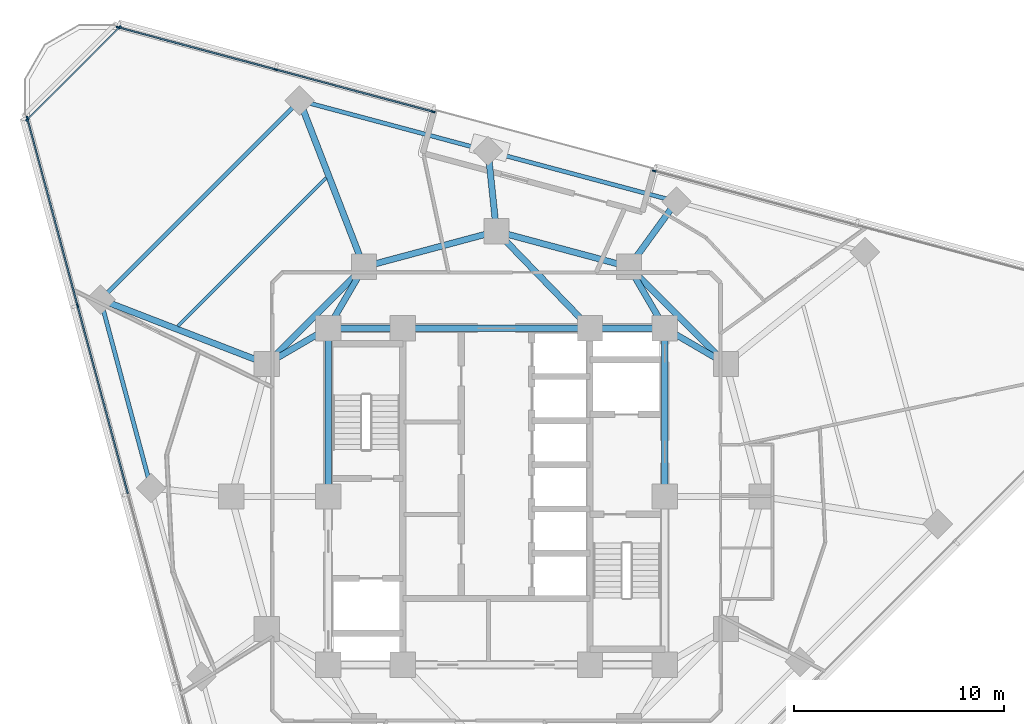
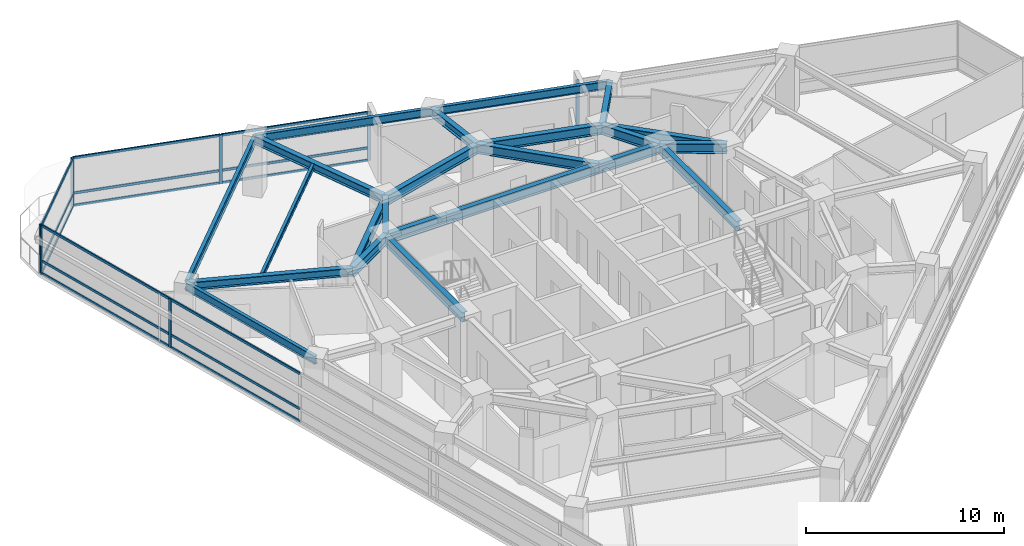
# One storey, part 4 of 14: 23 beams, 23 members, 4 elements without a shape of their own.
"""IFC4 building model written with IfcOpenShell, lengths in metres."""

from ifc_helpers import new_model, si_unit, direction, frame, origin, origin_2d, place, context, subcontext, project, spatial, rectangle, i_section, extrude, material, layer, layer_set, material_profile, profile_set, type_object, element, aggregate, save


model = new_model("IFC4")

# Units and contexts
model_context = context("Model", 3, precision=1e-05, world=origin(), true_north=direction((0.0, 1.0)))
body_context = subcontext(model_context, "Body", "Model", "MODEL_VIEW")
ifc_project = project(units=[si_unit("LENGTHUNIT", "METRE"), si_unit("AREAUNIT", "SQUARE_METRE"), si_unit("VOLUMEUNIT", "CUBIC_METRE"), si_unit("PLANEANGLEUNIT", "RADIAN"), si_unit("MASSUNIT", "GRAM", prefix="KILO")], contexts=[model_context])

# Site, building, storey
site_placement = place(None, origin())
site = spatial("IfcSite", under=ifc_project, at=site_placement, CompositionType="ELEMENT")
building_placement = place(site_placement, origin())
building = spatial("IfcBuilding", under=site, at=building_placement, Name="Terralouvre Media Tower", CompositionType="ELEMENT")
storey_placement = place(building_placement, frame((0.0, 0.0, 191.60009765625)))
storey = spatial("IfcBuildingStorey", under=building, at=storey_placement, Name="L49", CompositionType="ELEMENT", Elevation=191.60009765625)

# Beam
ifc_material_1 = material(Name="Structural steel S355J2", Category="steel")
ifc_material_profile_1 = material_profile(ifc_material_1, i_section(OverallWidth=0.159912109375, OverallDepth=0.330078125, WebThickness=0.007568359375, FlangeThickness=0.011474609375, at=origin_2d()), Name="IPE 330")
ifc_profile_set_1 = profile_set([ifc_material_profile_1], Name="Structural steel S355J2")
beam_type_1 = type_object("IfcBeamType", Name="Composite Floor Joist J-IPE330 (IPE 330)", PredefinedType="JOIST", material=ifc_profile_set_1)
beam_1_placement = place(storey_placement, frame((-8.095947265625, 15.14453125, 3.3349609375), z_axis=(-0.707106781187, -0.707106781187, 0.0), x_axis=(0.707106781187, -0.707106781187, 0.0)))
element("IfcBeam", 1, at=beam_1_placement, inside=storey, type_object=beam_type_1, Name="L49 Framing Beam JT-L49-05", PredefinedType="JOIST", context=body_context, shape_type="SweptSolid", body=[
    extrude(i_section(OverallWidth=0.159912109375, OverallDepth=0.330078125, WebThickness=0.007568359375, FlangeThickness=0.011474609375, at=origin_2d()), origin(), (0.0, 0.0, 1.0), 9.96826171875),
])

# Curtain wall, members
ifc_material_2 = material(Name="Low-iron laminated double glazing with solar-control coating", Category="glass")
ifc_layer_1 = layer(ifc_material_2, 0.1650390625, Name="Production Studio Tower Curtain Wall CW-03")
ifc_layer_set_1 = layer_set([ifc_layer_1], Name="Low-iron laminated double glazing with solar-control coating")
curtain_wall_type_1 = type_object("IfcCurtainWallType", Name="Production Studio Tower Curtain Wall CW-03", PredefinedType="NOTDEFINED", material=ifc_layer_set_1)
curtain_wall_1_placement = place(storey_placement, origin())
curtain_wall_1 = element("IfcCurtainWall", 2, at=curtain_wall_1_placement, inside=storey, type_object=curtain_wall_type_1, Name="L49 Right Flank Curtain Wall F1", PredefinedType="NOTDEFINED")
ifc_material_3 = material(Name="Anodised extruded aluminium 6063-T6", Category="aluminium")
ifc_material_profile_2 = material_profile(ifc_material_3, rectangle(XDim=0.074951171875, YDim=0.14990234375, at=origin_2d()), Name="ALU 75x150")
ifc_profile_set_2 = profile_set([ifc_material_profile_2], Name="Anodised extruded aluminium 6063-T6")
member_type_1 = type_object("IfcMemberType", Name="Curtain-Wall Horizontal Transom TR-150", PredefinedType="USERDEFINED", material=ifc_profile_set_2)
member_1_placement = place(storey_placement, frame((-3.0439453125, 18.294189453125, 0.037353515625), z_axis=(-0.965925482213, 0.258820329209, 0.0), x_axis=(-0.258820329209, -0.965925482213, 0.0)))
member_1 = element("IfcMember", 3, at=member_1_placement, type_object=member_type_1, Name="CW-03 transom 1.1", ObjectType="TRANSOM", PredefinedType="USERDEFINED", context=body_context, shape_type="SweptSolid", body=[
    extrude(rectangle(XDim=0.074951171875, YDim=0.14990234375, at=origin_2d()), origin(), (0.0, 0.0, 1.0), 7.677490234375),
])
member_2_placement = place(storey_placement, frame((-3.0439453125, 18.294189453125, 0.7998046875), z_axis=(-0.965925482213, 0.258820329209, 0.0), x_axis=(-0.258820329209, -0.965925482213, 0.0)))
member_2 = element("IfcMember", 4, at=member_2_placement, type_object=member_type_1, Name="CW-03 transom 1.2", ObjectType="TRANSOM", PredefinedType="USERDEFINED", context=body_context, shape_type="SweptSolid", body=[
    extrude(rectangle(XDim=0.074951171875, YDim=0.14990234375, at=origin_2d()), origin(), (0.0, 0.0, 1.0), 7.677490234375),
])
member_3_placement = place(storey_placement, frame((-3.0439453125, 18.294189453125, 2.96240234375), z_axis=(-0.965925482213, 0.258820329209, 0.0), x_axis=(-0.258820329209, -0.965925482213, 0.0)))
member_3 = element("IfcMember", 5, at=member_3_placement, type_object=member_type_1, Name="CW-03 transom 1.3", ObjectType="TRANSOM", PredefinedType="USERDEFINED", context=body_context, shape_type="SweptSolid", body=[
    extrude(rectangle(XDim=0.074951171875, YDim=0.14990234375, at=origin_2d()), origin(), (0.0, 0.0, 1.0), 7.677490234375),
])
member_4_placement = place(storey_placement, frame((-10.5322265625, 20.300537109375, 0.037353515625), z_axis=(-0.965925482213, 0.258820329209, 0.0), x_axis=(-0.258820329209, -0.965925482213, 0.0)))
member_4 = element("IfcMember", 6, at=member_4_placement, type_object=member_type_1, Name="CW-03 transom 2.1", ObjectType="TRANSOM", PredefinedType="USERDEFINED", context=body_context, shape_type="SweptSolid", body=[
    extrude(rectangle(XDim=0.074951171875, YDim=0.14990234375, at=origin_2d()), origin(), (0.0, 0.0, 1.0), 7.677490234375),
])
member_5_placement = place(storey_placement, frame((-10.5322265625, 20.300537109375, 0.7998046875), z_axis=(-0.965925482213, 0.258820329209, 0.0), x_axis=(-0.258820329209, -0.965925482213, 0.0)))
member_5 = element("IfcMember", 7, at=member_5_placement, type_object=member_type_1, Name="CW-03 transom 2.2", ObjectType="TRANSOM", PredefinedType="USERDEFINED", context=body_context, shape_type="SweptSolid", body=[
    extrude(rectangle(XDim=0.074951171875, YDim=0.14990234375, at=origin_2d()), origin(), (0.0, 0.0, 1.0), 7.677490234375),
])
member_6_placement = place(storey_placement, frame((-10.5322265625, 20.300537109375, 2.96240234375), z_axis=(-0.965925482213, 0.258820329209, 0.0), x_axis=(-0.258820329209, -0.965925482213, 0.0)))
member_6 = element("IfcMember", 8, at=member_6_placement, type_object=member_type_1, Name="CW-03 transom 2.3", ObjectType="TRANSOM", PredefinedType="USERDEFINED", context=body_context, shape_type="SweptSolid", body=[
    extrude(rectangle(XDim=0.074951171875, YDim=0.14990234375, at=origin_2d()), origin(), (0.0, 0.0, 1.0), 7.677490234375),
])

curtain_wall_2_placement = place(storey_placement, origin())
curtain_wall_2 = element("IfcCurtainWall", 9, at=curtain_wall_2_placement, inside=storey, type_object=curtain_wall_type_1, Name="L49 Facade Curtain Wall F2", PredefinedType="NOTDEFINED")
member_7_placement = place(storey_placement, frame((-22.28759765625, 17.947998046875, 0.037353515625), z_axis=(0.25881380313, -0.965927230856, 0.0), x_axis=(0.965927230856, 0.25881380313, 0.0)))
member_7 = element("IfcMember", 10, at=member_7_placement, type_object=member_type_1, Name="CW-03 transom 1.1", ObjectType="TRANSOM", PredefinedType="USERDEFINED", context=body_context, shape_type="SweptSolid", body=[
    extrude(rectangle(XDim=0.074951171875, YDim=0.14990234375, at=origin_2d()), origin(), (0.0, 0.0, 1.0), 9.159423828125),
])
member_8_placement = place(storey_placement, frame((-22.28759765625, 17.947998046875, 0.7998046875), z_axis=(0.25881380313, -0.965927230856, 0.0), x_axis=(0.965927230856, 0.25881380313, 0.0)))
member_8 = element("IfcMember", 11, at=member_8_placement, type_object=member_type_1, Name="CW-03 transom 1.2", ObjectType="TRANSOM", PredefinedType="USERDEFINED", context=body_context, shape_type="SweptSolid", body=[
    extrude(rectangle(XDim=0.074951171875, YDim=0.14990234375, at=origin_2d()), origin(), (0.0, 0.0, 1.0), 9.159423828125),
])
member_9_placement = place(storey_placement, frame((-22.28759765625, 17.947998046875, 2.96240234375), z_axis=(0.25881380313, -0.965927230856, 0.0), x_axis=(0.965927230856, 0.25881380313, 0.0)))
member_9 = element("IfcMember", 12, at=member_9_placement, type_object=member_type_1, Name="CW-03 transom 1.3", ObjectType="TRANSOM", PredefinedType="USERDEFINED", context=body_context, shape_type="SweptSolid", body=[
    extrude(rectangle(XDim=0.074951171875, YDim=0.14990234375, at=origin_2d()), origin(), (0.0, 0.0, 1.0), 9.159423828125),
])
member_10_placement = place(storey_placement, frame((-19.897705078125, 9.0283203125, 0.037353515625), z_axis=(0.25881569625, -0.965926723605, 0.0), x_axis=(0.965926723605, 0.25881569625, 0.0)))
member_10 = element("IfcMember", 13, at=member_10_placement, type_object=member_type_1, Name="CW-03 transom 2.1", ObjectType="TRANSOM", PredefinedType="USERDEFINED", context=body_context, shape_type="SweptSolid", body=[
    extrude(rectangle(XDim=0.074951171875, YDim=0.14990234375, at=origin_2d()), origin(), (0.0, 0.0, 1.0), 9.197265625),
])
member_11_placement = place(storey_placement, frame((-19.897705078125, 9.0283203125, 0.7998046875), z_axis=(0.25881569625, -0.965926723605, 0.0), x_axis=(0.965926723605, 0.25881569625, 0.0)))
member_11 = element("IfcMember", 14, at=member_11_placement, type_object=member_type_1, Name="CW-03 transom 2.2", ObjectType="TRANSOM", PredefinedType="USERDEFINED", context=body_context, shape_type="SweptSolid", body=[
    extrude(rectangle(XDim=0.074951171875, YDim=0.14990234375, at=origin_2d()), origin(), (0.0, 0.0, 1.0), 9.197265625),
])
member_12_placement = place(storey_placement, frame((-19.897705078125, 9.0283203125, 2.96240234375), z_axis=(0.25881569625, -0.965926723605, 0.0), x_axis=(0.965926723605, 0.25881569625, 0.0)))
member_12 = element("IfcMember", 15, at=member_12_placement, type_object=member_type_1, Name="CW-03 transom 2.3", ObjectType="TRANSOM", PredefinedType="USERDEFINED", context=body_context, shape_type="SweptSolid", body=[
    extrude(rectangle(XDim=0.074951171875, YDim=0.14990234375, at=origin_2d()), origin(), (0.0, 0.0, 1.0), 9.197265625),
])

ifc_material_4 = material(Name="Low-iron laminated double glazing with solar-control coating", Category="glass")
ifc_layer_2 = layer(ifc_material_4, 0.1650390625, Name="Rounded Wind-Corner Curved Glazing CW-04")
ifc_layer_set_2 = layer_set([ifc_layer_2], Name="Low-iron laminated double glazing with solar-control coating")
curtain_wall_type_2 = type_object("IfcCurtainWallType", Name="Rounded Wind-Corner Curved Glazing CW-04", PredefinedType="NOTDEFINED", material=ifc_layer_set_2)
curtain_wall_3_placement = place(storey_placement, origin())
curtain_wall_3 = element("IfcCurtainWall", 16, at=curtain_wall_3_placement, inside=storey, type_object=curtain_wall_type_2, Name="L49 Rounded Wind-Corner Curtain Wall C2", PredefinedType="NOTDEFINED")
member_13_placement = place(storey_placement, frame((-17.943603515625, 22.27099609375, 0.037353515625), z_axis=(-0.707106781187, -0.707106781187, 0.0), x_axis=(0.707106781187, -0.707106781187, 0.0)))
member_13 = element("IfcMember", 17, at=member_13_placement, type_object=member_type_1, Name="CW-04 transom 1.1", ObjectType="TRANSOM", PredefinedType="USERDEFINED", context=body_context, shape_type="SweptSolid", body=[
    extrude(rectangle(XDim=0.074951171875, YDim=0.14990234375, at=origin_2d()), origin(), (0.0, 0.0, 1.0), 6.119873046875),
])
member_14_placement = place(storey_placement, frame((-17.943603515625, 22.27099609375, 0.7998046875), z_axis=(-0.707106781187, -0.707106781187, 0.0), x_axis=(0.707106781187, -0.707106781187, 0.0)))
member_14 = element("IfcMember", 18, at=member_14_placement, type_object=member_type_1, Name="CW-04 transom 1.2", ObjectType="TRANSOM", PredefinedType="USERDEFINED", context=body_context, shape_type="SweptSolid", body=[
    extrude(rectangle(XDim=0.074951171875, YDim=0.14990234375, at=origin_2d()), origin(), (0.0, 0.0, 1.0), 6.119873046875),
])
member_15_placement = place(storey_placement, frame((-17.943603515625, 22.27099609375, 2.96240234375), z_axis=(-0.707106781187, -0.707106781187, 0.0), x_axis=(0.707106781187, -0.707106781187, 0.0)))
member_15 = element("IfcMember", 19, at=member_15_placement, type_object=member_type_1, Name="CW-04 transom 1.3", ObjectType="TRANSOM", PredefinedType="USERDEFINED", context=body_context, shape_type="SweptSolid", body=[
    extrude(rectangle(XDim=0.074951171875, YDim=0.14990234375, at=origin_2d()), origin(), (0.0, 0.0, 1.0), 6.119873046875),
])

# Curtain wall, member
curtain_wall_4_placement = place(storey_placement, origin())
curtain_wall_4 = element("IfcCurtainWall", 20, at=curtain_wall_4_placement, inside=storey, type_object=curtain_wall_type_1, Name="L49 Left Flank Curtain Wall F1", PredefinedType="NOTDEFINED")
ifc_material_5 = material(Name="Anodised extruded aluminium 6063-T6", Category="aluminium")
ifc_material_profile_3 = material_profile(ifc_material_5, rectangle(XDim=0.074951171875, YDim=0.179931640625, at=origin_2d()), Name="ALU 75x180")
ifc_profile_set_3 = profile_set([ifc_material_profile_3], Name="Anodised extruded aluminium 6063-T6")
member_type_2 = type_object("IfcMemberType", Name="Curtain-Wall Vertical Mullion ML-180", PredefinedType="MULLION", material=ifc_profile_set_3)
member_16_placement = place(storey_placement, frame((7.496826171875, 15.4697265625, 0.0), z_axis=(0.0, 0.0, 1.0), x_axis=(-0.258818809065, -0.965925889535, 0.0)))
member_16 = element("IfcMember", 21, at=member_16_placement, type_object=member_type_2, Name="CW-03 mullion 3", PredefinedType="MULLION", context=body_context, shape_type="SweptSolid", body=[
    extrude(rectangle(XDim=0.074951171875, YDim=0.179931640625, at=origin_2d()), origin(), (0.0, 0.0, 1.0), 3.0),
])
aggregate(curtain_wall_4, [member_16])

# Member
member_17_placement = place(storey_placement, frame((-3.007568359375, 18.284423828125, 0.0), z_axis=(0.0, 0.0, 1.0), x_axis=(-0.258819072009, -0.96592581908, 0.0)))
member_17 = element("IfcMember", 22, at=member_17_placement, type_object=member_type_2, Name="CW-03 mullion 1", PredefinedType="MULLION", context=body_context, shape_type="SweptSolid", body=[
    extrude(rectangle(XDim=0.074951171875, YDim=0.179931640625, at=origin_2d()), origin(), (0.0, 0.0, 1.0), 3.0),
])

member_18_placement = place(storey_placement, frame((-10.495849609375, 20.291015625, 0.0), z_axis=(0.0, 0.0, 1.0), x_axis=(-0.258819072009, -0.96592581908, 0.0)))
member_18 = element("IfcMember", 23, at=member_18_placement, type_object=member_type_2, Name="CW-03 mullion 2", PredefinedType="MULLION", context=body_context, shape_type="SweptSolid", body=[
    extrude(rectangle(XDim=0.074951171875, YDim=0.179931640625, at=origin_2d()), origin(), (0.0, 0.0, 1.0), 3.0),
])

member_19_placement = place(storey_placement, frame((-17.984375, 22.29736328125, 0.0), z_axis=(0.0, 0.0, 1.0), x_axis=(-0.258819072009, -0.96592581908, 0.0)))
member_19 = element("IfcMember", 24, at=member_19_placement, type_object=member_type_2, Name="CW-03 mullion 3", PredefinedType="MULLION", context=body_context, shape_type="SweptSolid", body=[
    extrude(rectangle(XDim=0.074951171875, YDim=0.179931640625, at=origin_2d()), origin(), (0.0, 0.0, 1.0), 3.0),
])

aggregate(curtain_wall_1, [member_17, member_18, member_19, member_1, member_2, member_3, member_4, member_5, member_6])

member_20_placement = place(storey_placement, frame((-22.29736328125, 17.984375, 0.0), z_axis=(0.0, 0.0, 1.0), x_axis=(0.96592582942, 0.25881903342, 0.0)))
member_20 = element("IfcMember", 25, at=member_20_placement, type_object=member_type_2, Name="CW-03 mullion 1", PredefinedType="MULLION", context=body_context, shape_type="SweptSolid", body=[
    extrude(rectangle(XDim=0.074951171875, YDim=0.179931640625, at=origin_2d()), origin(), (0.0, 0.0, 1.0), 3.0),
])

member_21_placement = place(storey_placement, frame((-19.907470703125, 9.064453125, 0.0), z_axis=(0.0, 0.0, 1.0), x_axis=(0.96592582942, 0.25881903342, 0.0)))
member_21 = element("IfcMember", 26, at=member_21_placement, type_object=member_type_2, Name="CW-03 mullion 2", PredefinedType="MULLION", context=body_context, shape_type="SweptSolid", body=[
    extrude(rectangle(XDim=0.074951171875, YDim=0.179931640625, at=origin_2d()), origin(), (0.0, 0.0, 1.0), 3.0),
])

aggregate(curtain_wall_2, [member_20, member_21, member_7, member_8, member_9, member_10, member_11, member_12])

member_22_placement = place(storey_placement, frame((-17.9169921875, 22.297607421875, 0.0), z_axis=(0.0, 0.0, 1.0), x_axis=(0.707106781187, -0.707106781187, 0.0)))
member_22 = element("IfcMember", 27, at=member_22_placement, type_object=member_type_2, Name="CW-04 mullion 1", PredefinedType="MULLION", context=body_context, shape_type="SweptSolid", body=[
    extrude(rectangle(XDim=0.074951171875, YDim=0.179931640625, at=origin_2d()), origin(), (0.0, 0.0, 1.0), 3.0),
])

member_23_placement = place(storey_placement, frame((-22.297607421875, 17.9169921875, 0.0), z_axis=(0.0, 0.0, 1.0), x_axis=(0.707106781187, -0.707106781187, 0.0)))
member_23 = element("IfcMember", 28, at=member_23_placement, type_object=member_type_2, Name="CW-04 mullion 2", PredefinedType="MULLION", context=body_context, shape_type="SweptSolid", body=[
    extrude(rectangle(XDim=0.074951171875, YDim=0.179931640625, at=origin_2d()), origin(), (0.0, 0.0, 1.0), 3.0),
])

aggregate(curtain_wall_3, [member_22, member_23, member_13, member_14, member_15])

# Beams
ifc_material_6 = material(Name="Structural steel S355J2", Category="steel")
ifc_material_profile_4 = material_profile(ifc_material_6, i_section(OverallWidth=0.199951171875, OverallDepth=0.5, WebThickness=0.01025390625, FlangeThickness=0.01611328125, at=origin_2d()), Name="IPE 500")
ifc_profile_set_4 = profile_set([ifc_material_profile_4], Name="Structural steel S355J2")
beam_type_2 = type_object("IfcBeamType", Name="Perimeter Spandrel Beam SPB-500 (IPE 500)", PredefinedType="SPANDREL", material=ifc_profile_set_4)
for number, where, z_axis, x_axis, name in (
    (29, (8.55517578125, 14.016357421875, 3.25), (-0.965928776458, 0.258808034669, 0.0), (-0.258808034669, -0.965928776458, 0.0), "L49 Framing Beam BM-L49-PR08"),
    (30, (-0.40087890625, 16.416015625, 3.25), (-0.965922193685, 0.258832601786, 0.0), (-0.258832601786, -0.965922193685, 0.0), "L49 Framing Beam BM-L49-PR09"),
):
    element("IfcBeam", number, at=place(storey_placement, frame(where, z_axis=z_axis, x_axis=x_axis)), inside=storey, type_object=beam_type_2, Name=name, PredefinedType="SPANDREL", context=body_context, shape_type="SweptSolid", body=[
        extrude(i_section(OverallWidth=0.199951171875, OverallDepth=0.5, WebThickness=0.01025390625, FlangeThickness=0.01611328125, at=origin_2d()), origin(), (0.0, 0.0, 1.0), 9.27197265625),
    ])
beam_2_placement = place(storey_placement, frame((-9.35693359375, 18.81591796875, 3.25), z_axis=(-0.707106781187, -0.707106781187, 0.0), x_axis=(0.707106781187, -0.707106781187, 0.0)))
element("IfcBeam", 31, at=beam_2_placement, inside=storey, type_object=beam_type_2, Name="L49 Framing Beam BM-L49-PR10", PredefinedType="SPANDREL", context=body_context, shape_type="SweptSolid", body=[
    extrude(i_section(OverallWidth=0.199951171875, OverallDepth=0.5, WebThickness=0.01025390625, FlangeThickness=0.01611328125, at=origin_2d()), origin(), (0.0, 0.0, 1.0), 13.376953125),
])
beam_3_placement = place(storey_placement, frame((-18.81591796875, 9.35693359375, 3.25), z_axis=(0.258832601786, -0.965922193685, 0.0), x_axis=(0.965922193685, 0.258832601786, 0.0)))
element("IfcBeam", 32, at=beam_3_placement, inside=storey, type_object=beam_type_2, Name="L49 Framing Beam BM-L49-PR11", PredefinedType="SPANDREL", context=body_context, shape_type="SweptSolid", body=[
    extrude(i_section(OverallWidth=0.199951171875, OverallDepth=0.5, WebThickness=0.01025390625, FlangeThickness=0.01611328125, at=origin_2d()), origin(), (0.0, 0.0, 1.0), 9.27197265625),
])
ifc_material_7 = material(Name="Structural steel S355J2", Category="steel")
ifc_material_profile_5 = material_profile(ifc_material_7, i_section(OverallWidth=0.300048828125, OverallDepth=0.5, WebThickness=0.014404296875, FlangeThickness=0.028076171875, at=origin_2d()), Name="HEB 500")
ifc_profile_set_5 = profile_set([ifc_material_profile_5], Name="Structural steel S355J2")
beam_type_3 = type_object("IfcBeamType", Name="Primary Floor Girder B-HEB500 (HEB 500)", PredefinedType="BEAM", material=ifc_profile_set_5)
beam_4_placement = place(storey_placement, frame((6.300048828125, 10.911865234375, 3.25), z_axis=(0.587713839807, 0.809068873767, 0.0), x_axis=(-0.809068873767, 0.587713839807, 0.0)))
element("IfcBeam", 33, at=beam_4_placement, inside=storey, type_object=beam_type_3, Name="L49 Framing Beam BM-L49-RD08", PredefinedType="BEAM", context=body_context, shape_type="SweptSolid", body=[
    extrude(i_section(OverallWidth=0.300048828125, OverallDepth=0.5, WebThickness=0.014404296875, FlangeThickness=0.028076171875, at=origin_2d()), origin(), (0.0, 0.0, 1.0), 3.837158203125),
])
beam_5_placement = place(storey_placement, frame((0.0, 12.60009765625, 3.25), z_axis=(-0.104479425033, 0.994527048272, 0.0), x_axis=(-0.994527048272, -0.104479425033, 0.0)))
element("IfcBeam", 34, at=beam_5_placement, inside=storey, type_object=beam_type_3, Name="L49 Framing Beam BM-L49-RD09", PredefinedType="BEAM", context=body_context, shape_type="SweptSolid", body=[
    extrude(i_section(OverallWidth=0.300048828125, OverallDepth=0.5, WebThickness=0.014404296875, FlangeThickness=0.028076171875, at=origin_2d()), origin(), (0.0, 0.0, 1.0), 3.8369140625),
])
for number, where, z_axis, x_axis, name in (
    (35, (-6.300048828125, 10.911865234375, 3.25), (-0.360712022835, 0.932677241377, 0.0), (-0.932677241377, -0.360712022835, 0.0), "L49 Framing Beam BM-L49-RD10"),
    (36, (-10.911865234375, 6.300048828125, 3.25), (-0.932677241377, 0.360712022835, 0.0), (-0.360712022835, -0.932677241377, 0.0), "L49 Framing Beam BM-L49-RD11"),
):
    element("IfcBeam", number, at=place(storey_placement, frame(where, z_axis=z_axis, x_axis=x_axis)), inside=storey, type_object=beam_type_3, Name=name, PredefinedType="BEAM", context=body_context, shape_type="SweptSolid", body=[
        extrude(i_section(OverallWidth=0.300048828125, OverallDepth=0.5, WebThickness=0.014404296875, FlangeThickness=0.028076171875, at=origin_2d()), origin(), (0.0, 0.0, 1.0), 8.474609375),
    ])
ifc_material_8 = material(Name="Structural steel S460M", Category="steel")
ifc_material_profile_6 = material_profile(ifc_material_8, i_section(OverallWidth=0.300048828125, OverallDepth=0.60009765625, WebThickness=0.015380859375, FlangeThickness=0.030029296875, at=origin_2d()), Name="HEB 600")
ifc_profile_set_6 = profile_set([ifc_material_profile_6], Name="Structural steel S460M")
beam_type_4 = type_object("IfcBeamType", Name="Primary Floor Girder B-HEB600 (HEB 600)", PredefinedType="BEAM", material=ifc_profile_set_6)
beam_6_placement = place(storey_placement, frame((8.0, 0.0, 3.199951171875), z_axis=(0.0, 1.0, 0.0), x_axis=(-1.0, 0.0, 0.0)))
element("IfcBeam", 37, at=beam_6_placement, inside=storey, type_object=beam_type_4, Name="L49 Framing Beam BM-L49-CPR05", PredefinedType="BEAM", context=body_context, shape_type="SweptSolid", body=[
    extrude(i_section(OverallWidth=0.300048828125, OverallDepth=0.60009765625, WebThickness=0.015380859375, FlangeThickness=0.030029296875, at=origin_2d()), origin(), (0.0, 0.0, 1.0), 8.0),
])
beam_7_placement = place(storey_placement, frame((8.0, 8.0, 3.199951171875), z_axis=(-1.0, 0.0, 0.0), x_axis=(0.0, -1.0, 0.0)))
element("IfcBeam", 38, at=beam_7_placement, inside=storey, type_object=beam_type_4, Name="L49 Framing Beam BM-L49-CPR06", PredefinedType="BEAM", context=body_context, shape_type="SweptSolid", body=[
    extrude(i_section(OverallWidth=0.300048828125, OverallDepth=0.60009765625, WebThickness=0.015380859375, FlangeThickness=0.030029296875, at=origin_2d()), origin(), (0.0, 0.0, 1.0), 3.550048828125),
])
beam_8_placement = place(storey_placement, frame((4.449951171875, 8.0, 3.199951171875), z_axis=(-1.0, 0.0, 0.0), x_axis=(0.0, -1.0, 0.0)))
element("IfcBeam", 39, at=beam_8_placement, inside=storey, type_object=beam_type_4, Name="L49 Framing Beam BM-L49-CPR07", PredefinedType="BEAM", context=body_context, shape_type="SweptSolid", body=[
    extrude(i_section(OverallWidth=0.300048828125, OverallDepth=0.60009765625, WebThickness=0.015380859375, FlangeThickness=0.030029296875, at=origin_2d()), origin(), (0.0, 0.0, 1.0), 8.89990234375),
])
beam_9_placement = place(storey_placement, frame((-4.449951171875, 8.0, 3.199951171875), z_axis=(-1.0, 0.0, 0.0), x_axis=(0.0, -1.0, 0.0)))
element("IfcBeam", 40, at=beam_9_placement, inside=storey, type_object=beam_type_4, Name="L49 Framing Beam BM-L49-CPR08", PredefinedType="BEAM", context=body_context, shape_type="SweptSolid", body=[
    extrude(i_section(OverallWidth=0.300048828125, OverallDepth=0.60009765625, WebThickness=0.015380859375, FlangeThickness=0.030029296875, at=origin_2d()), origin(), (0.0, 0.0, 1.0), 3.550048828125),
])
beam_10_placement = place(storey_placement, frame((-8.0, 8.0, 3.199951171875), z_axis=(0.0, -1.0, 0.0), x_axis=(1.0, 0.0, 0.0)))
element("IfcBeam", 41, at=beam_10_placement, inside=storey, type_object=beam_type_4, Name="L49 Framing Beam BM-L49-CPR09", PredefinedType="BEAM", context=body_context, shape_type="SweptSolid", body=[
    extrude(i_section(OverallWidth=0.300048828125, OverallDepth=0.60009765625, WebThickness=0.015380859375, FlangeThickness=0.030029296875, at=origin_2d()), origin(), (0.0, 0.0, 1.0), 8.0),
])
beam_11_placement = place(storey_placement, frame((10.911865234375, 6.300048828125, 3.199951171875), z_axis=(-0.707106781187, 0.707106781187, 0.0), x_axis=(-0.707106781187, -0.707106781187, 0.0)))
element("IfcBeam", 42, at=beam_11_placement, inside=storey, type_object=beam_type_4, Name="L49 Framing Beam BM-L49-MR07", PredefinedType="BEAM", context=body_context, shape_type="SweptSolid", body=[
    extrude(i_section(OverallWidth=0.300048828125, OverallDepth=0.60009765625, WebThickness=0.015380859375, FlangeThickness=0.030029296875, at=origin_2d()), origin(), (0.0, 0.0, 1.0), 6.52197265625),
])
for number, where, z_axis, x_axis, name in (
    (43, (6.300048828125, 10.911865234375, 3.199951171875), (-0.965920481897, 0.258838989821, 0.0), (-0.258838989821, -0.965920481897, 0.0), "L49 Framing Beam BM-L49-MR08"),
    (44, (0.0, 12.60009765625, 3.199951171875), (-0.965920481897, -0.258838989821, 0.0), (0.258838989821, -0.965920481897, 0.0), "L49 Framing Beam BM-L49-MR09"),
):
    element("IfcBeam", number, at=place(storey_placement, frame(where, z_axis=z_axis, x_axis=x_axis)), inside=storey, type_object=beam_type_4, Name=name, PredefinedType="BEAM", context=body_context, shape_type="SweptSolid", body=[
        extrude(i_section(OverallWidth=0.300048828125, OverallDepth=0.60009765625, WebThickness=0.015380859375, FlangeThickness=0.030029296875, at=origin_2d()), origin(), (0.0, 0.0, 1.0), 6.522216796875),
    ])
beam_12_placement = place(storey_placement, frame((-6.300048828125, 10.911865234375, 3.199951171875), z_axis=(-0.707106781187, -0.707106781187, 0.0), x_axis=(0.707106781187, -0.707106781187, 0.0)))
element("IfcBeam", 45, at=beam_12_placement, inside=storey, type_object=beam_type_4, Name="L49 Framing Beam BM-L49-MR10", PredefinedType="BEAM", context=body_context, shape_type="SweptSolid", body=[
    extrude(i_section(OverallWidth=0.300048828125, OverallDepth=0.60009765625, WebThickness=0.015380859375, FlangeThickness=0.030029296875, at=origin_2d()), origin(), (0.0, 0.0, 1.0), 6.52197265625),
])
for number, where, z_axis, x_axis, name in (
    (46, (8.0, 8.0, 3.199951171875), (0.863602894532, -0.504172629717, 0.0), (0.504172629717, 0.863602894532, 0.0), "L49 Framing Beam BM-L49-CM07"),
    (47, (8.0, 8.0, 3.199951171875), (-0.504172629717, 0.863602894532, 0.0), (-0.863602894532, -0.504172629717, 0.0), "L49 Framing Beam BM-L49-CM08"),
):
    element("IfcBeam", number, at=place(storey_placement, frame(where, z_axis=z_axis, x_axis=x_axis)), inside=storey, type_object=beam_type_4, Name=name, PredefinedType="BEAM", context=body_context, shape_type="SweptSolid", body=[
        extrude(i_section(OverallWidth=0.300048828125, OverallDepth=0.60009765625, WebThickness=0.015380859375, FlangeThickness=0.030029296875, at=origin_2d()), origin(), (0.0, 0.0, 1.0), 3.371826171875),
    ])
beam_13_placement = place(storey_placement, frame((4.449951171875, 8.0, 3.199951171875), z_axis=(-0.695279715726, 0.718739255155, 0.0), x_axis=(-0.718739255155, -0.695279715726, 0.0)))
element("IfcBeam", 48, at=beam_13_placement, inside=storey, type_object=beam_type_4, Name="L49 Framing Beam BM-L49-CM09", PredefinedType="BEAM", context=body_context, shape_type="SweptSolid", body=[
    extrude(i_section(OverallWidth=0.300048828125, OverallDepth=0.60009765625, WebThickness=0.015380859375, FlangeThickness=0.030029296875, at=origin_2d()), origin(), (0.0, 0.0, 1.0), 6.400146484375),
])
for number, where, z_axis, x_axis, name in (
    (49, (-8.0, 8.0, 3.199951171875), (0.504172629717, 0.863602894532, 0.0), (-0.863602894532, 0.504172629717, 0.0), "L49 Framing Beam BM-L49-CM10"),
    (50, (-8.0, 8.0, 3.199951171875), (-0.863602894532, -0.504172629717, 0.0), (0.504172629717, -0.863602894532, 0.0), "L49 Framing Beam BM-L49-CM11"),
):
    element("IfcBeam", number, at=place(storey_placement, frame(where, z_axis=z_axis, x_axis=x_axis)), inside=storey, type_object=beam_type_4, Name=name, PredefinedType="BEAM", context=body_context, shape_type="SweptSolid", body=[
        extrude(i_section(OverallWidth=0.300048828125, OverallDepth=0.60009765625, WebThickness=0.015380859375, FlangeThickness=0.030029296875, at=origin_2d()), origin(), (0.0, 0.0, 1.0), 3.371826171875),
    ])

save(model, "model.ifc")
